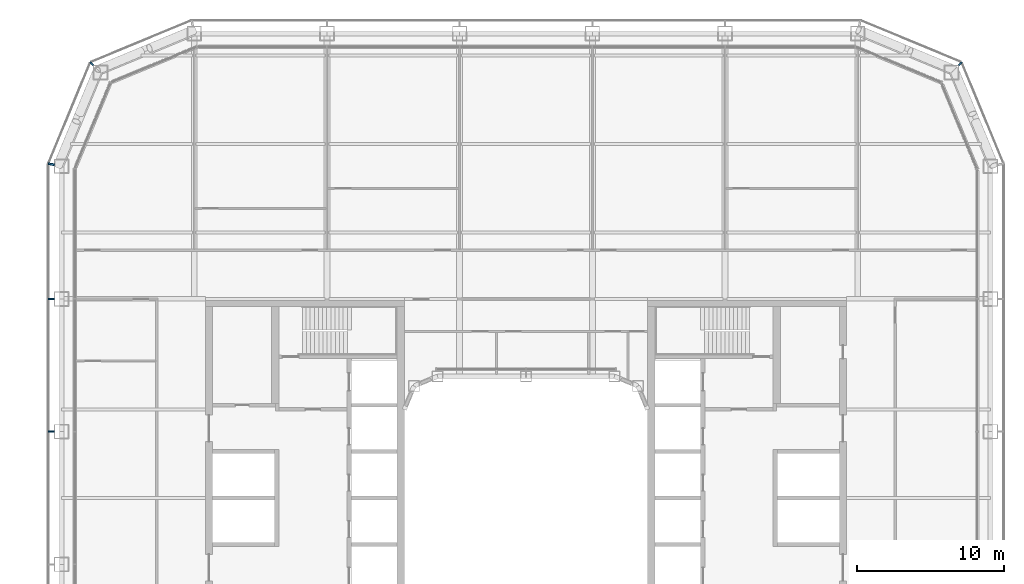
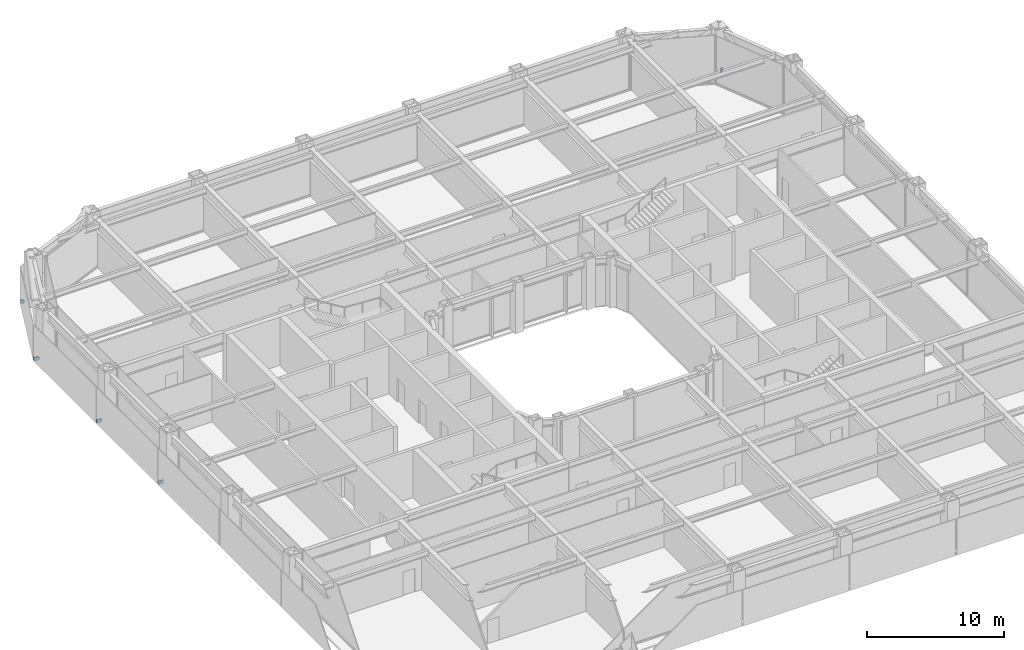
# One storey, part 20 of 27: 5 discrete accessories.
"""IFC4 building model written with IfcOpenShell, lengths in metres."""

import ifcopenshell
import ifcopenshell.guid

model = None  # the IFC model being written
_history = None  # IfcOwnerHistory: only IFC2X3 demands one
_inside = {}  # id of a spatial element -> (the spatial element, [elements in it])
_under = {}  # id of a project, library or spatial element -> (it, [spatial elements below it])
_declared = {}  # id of a project -> (the project, [libraries it declares])
_typed = {}  # id of a type object -> (the type object, [elements of that type])
_made_of = {}  # id of a material, layer set ... -> (it, [elements and type objects made of it])


def new_model(schema):
    """Start an empty IFC model of exactly this schema.

    Asked for "IFC4X3", IfcOpenShell would pick the latest addendum, in which some entities
    have other attributes; the version numbers below select the first issue.
    IFC2X3 requires an IfcOwnerHistory on every rooted entity: one is made here for all.
    """
    global model, _history
    if schema == "IFC4X3":
        model = ifcopenshell.file(schema_version=(4, 3, 0, 0))
    else:
        model = ifcopenshell.file(schema=schema)
    _inside.clear()
    _under.clear()
    _declared.clear()
    _typed.clear()
    _made_of.clear()
    _history = None
    if model.schema == "IFC2X3":
        org = make("IfcOrganization", Name="unknown")
        user = make(
            "IfcPersonAndOrganization",
            ThePerson=make("IfcPerson", FamilyName="unknown"),
            TheOrganization=org,
        )
        app = make(
            "IfcApplication",
            ApplicationDeveloper=org,
            Version="unknown",
            ApplicationFullName="unknown",
            ApplicationIdentifier="unknown",
        )
        _history = make(
            "IfcOwnerHistory",
            OwningUser=user,
            OwningApplication=app,
            ChangeAction="ADDED",
            CreationDate=0,
        )
    return model


def make(cls, **values):
    """One entity of the class cls with the attributes given. An attribute that is None is left unset."""
    return model.create_entity(
        cls, **{name: value for name, value in values.items() if value is not None}
    )


def rooted(cls, **values):
    """An entity with a GlobalId (a new one), such as an element, a storey or a relation."""
    return make(cls, GlobalId=ifcopenshell.guid.new(), OwnerHistory=_history, **values)


def si_unit(unit_type, name, prefix=None):
    """IfcSIUnit, for example si_unit("LENGTHUNIT", "METRE", prefix="MILLI")."""
    return make("IfcSIUnit", UnitType=unit_type, Prefix=prefix, Name=name)


def assignment(units):
    """IfcUnitAssignment: the units of a project."""
    return None if units is None else make("IfcUnitAssignment", Units=units)


def point(xyz):
    """IfcCartesianPoint."""
    return None if xyz is None else make("IfcCartesianPoint", Coordinates=xyz)


def direction(xyz):
    """IfcDirection."""
    return None if xyz is None else make("IfcDirection", DirectionRatios=xyz)


def frame(location, z_axis=None, x_axis=None):
    """IfcAxis2Placement3D, a coordinate frame: its origin and axes. An axis left out is left unset."""
    return make(
        "IfcAxis2Placement3D",
        Location=point(location),
        Axis=direction(z_axis),
        RefDirection=direction(x_axis),
    )


def frame_2d(location, x_axis=None):
    """IfcAxis2Placement2D, a coordinate frame in the plane: its origin and x axis."""
    return make(
        "IfcAxis2Placement2D", Location=point(location), RefDirection=direction(x_axis)
    )


def origin():
    """The frame at (0, 0, 0) with its axes left unset."""
    return frame((0.0, 0.0, 0.0))


def origin_2d():
    """The frame at (0, 0) in the plane with its x axis left unset."""
    return frame_2d((0.0, 0.0))


def place(relative_to, where):
    """IfcLocalPlacement: puts the frame where relative to a parent placement (None: the world)."""
    return make(
        "IfcLocalPlacement", PlacementRelTo=relative_to, RelativePlacement=where
    )


def context(
    kind, dimensions, precision=None, world=None, true_north=None, identifier=None
):
    """IfcGeometricRepresentationContext, for example the 3D "Model" context."""
    return make(
        "IfcGeometricRepresentationContext",
        ContextIdentifier=identifier,
        ContextType=kind,
        CoordinateSpaceDimension=dimensions,
        Precision=precision,
        WorldCoordinateSystem=world,
        TrueNorth=true_north,
    )


def subcontext(parent, identifier, kind, view, scale=None):
    """IfcGeometricRepresentationSubContext, for example "Body" below "Model"."""
    return make(
        "IfcGeometricRepresentationSubContext",
        ContextIdentifier=identifier,
        ContextType=kind,
        ParentContext=parent,
        TargetScale=scale,
        TargetView=view,
    )


def project(units=None, contexts=None):
    """IfcProject with its units and contexts."""
    return rooted(
        "IfcProject",
        Name="project",
        RepresentationContexts=contexts,
        UnitsInContext=assignment(units),
    )


def spatial(cls, under=None, at=None, **own):
    """A site, building, storey or space (cls), placed at a placement, below another one or the project."""
    s = rooted(cls, ObjectPlacement=at, **own)
    if under is not None:
        _under.setdefault(under.id(), (under, []))[1].append(s)
    return s


def profile(cls, at=None, kind="AREA", **sizes):
    """A parametric profile (cls). Its sizes go by their IFC names, for example OverallWidth=200.0."""
    return make(cls, ProfileType=kind, Position=at, **sizes)


def rectangle(**sizes):
    """IfcRectangleProfileDef."""
    return profile("IfcRectangleProfileDef", **sizes)


def extrude(swept, where, along, depth):
    """IfcExtrudedAreaSolid: the profile swept, set in the frame where, extruded along a direction by depth."""
    return make(
        "IfcExtrudedAreaSolid",
        SweptArea=swept,
        Position=where,
        ExtrudedDirection=direction(along),
        Depth=depth,
    )


def shape(context_of_items, identifier, shape_type, items):
    """IfcShapeRepresentation: the items that make up one representation, for example the "Body"."""
    return make(
        "IfcShapeRepresentation",
        ContextOfItems=context_of_items,
        RepresentationIdentifier=identifier,
        RepresentationType=shape_type,
        Items=items,
    )


def material(Name=None, Category=None):
    """IfcMaterial."""
    return make("IfcMaterial", Name=Name, Category=Category)


def made_of(thing, what):
    """Note that an element or type object is made of a material, layer set ...; save() writes the relation."""
    if what is not None:
        _made_of.setdefault(what.id(), (what, []))[1].append(thing)
    return thing


def type_object(cls, material=None, **own):
    """A type object (cls), such as IfcWallType, which elements share."""
    return made_of(rooted(cls, **own), material)


def element(
    cls,
    number,
    at=None,
    inside=None,
    cuts=None,
    type_object=None,
    material=None,
    context=None,
    identifier="Body",
    shape_type=None,
    held_by="IfcProductDefinitionShape",
    body=None,
    shapes=None,
    **own,
):
    """One element of the class cls, such as IfcWall. Its Tag is "e" and its number.

    at: its placement. inside: the storey or other place that contains it. cuts: it is an
    opening in that element (IfcRelVoidsElement). A single representation is given by context,
    identifier, shape_type and body (its items); several are given by shapes. held_by: the class
    of the entity that holds the representations. save() writes the other relations.
    """
    e = rooted(cls, Tag="e%d" % number, ObjectPlacement=at, **own)
    if body is not None:
        shapes = [shape(context, identifier, shape_type, body)]
    if shapes is not None:
        e.Representation = make(held_by, Representations=shapes)
    if inside is not None:
        _inside.setdefault(inside.id(), (inside, []))[1].append(e)
    if cuts is not None:
        rooted(
            "IfcRelVoidsElement", RelatingBuildingElement=cuts, RelatedOpeningElement=e
        )
    if type_object is not None:
        _typed.setdefault(type_object.id(), (type_object, []))[1].append(e)
    return made_of(e, material)


def aggregate(whole, parts):
    """IfcRelAggregates: a whole, such as a stair, and the parts it consists of."""
    return rooted("IfcRelAggregates", RelatingObject=whole, RelatedObjects=parts)


def save(model, path):
    """Write the relations noted so far, then the file.

    IfcRelAggregates (storeys below a building ...), IfcRelContainedInSpatialStructure (elements
    in a storey), IfcRelDefinesByType, IfcRelAssociatesMaterial and IfcRelDeclares: one each for
    every whole, place, type object, material and project.
    """
    for whole, parts in _under.values():
        aggregate(whole, parts)
    for where, things in _inside.values():
        rooted(
            "IfcRelContainedInSpatialStructure",
            RelatedElements=things,
            RelatingStructure=where,
        )
    for kind, things in _typed.values():
        rooted("IfcRelDefinesByType", RelatedObjects=things, RelatingType=kind)
    for what, things in _made_of.values():
        rooted("IfcRelAssociatesMaterial", RelatedObjects=things, RelatingMaterial=what)
    for by, libraries in _declared.values():
        rooted("IfcRelDeclares", RelatingContext=by, RelatedDefinitions=libraries)
    model.write(path)


model = new_model("IFC4")

# Units and contexts
model_context = context("Model", 3, precision=1e-05, world=origin(), true_north=direction((0.0, 1.0)))
body_context = subcontext(model_context, "Body", "Model", "MODEL_VIEW")
ifc_project = project(units=[si_unit("LENGTHUNIT", "METRE"), si_unit("AREAUNIT", "SQUARE_METRE"), si_unit("VOLUMEUNIT", "CUBIC_METRE"), si_unit("PLANEANGLEUNIT", "RADIAN"), si_unit("MASSUNIT", "GRAM", prefix="KILO")], contexts=[model_context])

# Site, building, storey
site_placement = place(None, origin())
site = spatial("IfcSite", under=ifc_project, at=site_placement, CompositionType="ELEMENT")
building_placement = place(site_placement, origin())
building = spatial("IfcBuilding", under=site, at=building_placement, Name="Siwar Civic Tower", CompositionType="ELEMENT")
storey_placement = place(building_placement, frame((0.0, 0.0, 89.699951171875)))
storey = spatial("IfcBuildingStorey", under=building, at=storey_placement, Name="L19", CompositionType="ELEMENT", Elevation=89.699951171875)

# Discrete accessories
ifc_material = material(Name="Stainless steel 316", Category="steel")
discrete_accessory_type = type_object("IfcDiscreteAccessoryType", Name="ENV-BRACKET", PredefinedType="BRACKET", material=ifc_material)
for number, where, z_axis, x_axis, name in (
    (1, (29.451416015625, 29.451416015625, -0.14990234375), (0.0, 0.0, 1.0), (0.707106781187, 0.707106781187, 0.0), "Bracket outer skin joint V05"),
    (2, (-29.451416015625, 29.451416015625, -0.14990234375), (0.0, 0.0, 1.0), (-0.707106781187, 0.707106781187, 0.0), "Bracket outer skin joint V08"),
):
    element("IfcDiscreteAccessory", number, at=place(storey_placement, frame(where, z_axis=z_axis, x_axis=x_axis)), inside=storey, type_object=discrete_accessory_type, Name=name, PredefinedType="BRACKET", context=body_context, shape_type="SweptSolid", body=[
        extrude(rectangle(XDim=0.287109375, YDim=0.12939453125, at=origin_2d()), origin(), (0.0, 0.0, 1.0), 0.300048828125),
    ])
discrete_accessory_placement = place(storey_placement, frame((-32.190185546875, 22.63720703125, -0.14990234375), z_axis=(0.0, 0.0, 1.0), x_axis=(-0.980785280403, 0.195090322016, 0.0)))
element("IfcDiscreteAccessory", 3, at=discrete_accessory_placement, inside=storey, type_object=discrete_accessory_type, Name="Bracket outer skin joint V09", PredefinedType="BRACKET", context=body_context, shape_type="SweptSolid", body=[
    extrude(rectangle(XDim=0.427734375, YDim=0.13720703125, at=origin_2d()), origin(), (0.0, 0.0, 1.0), 0.300048828125),
])
for number, where, z_axis, x_axis, name in (
    (4, (-32.18994140625, 13.5, -0.14990234375), (0.0, 0.0, 1.0), (-1.0, 0.0, 0.0), "Bracket outer skin joint W-01"),
    (5, (-32.18994140625, 4.5, -0.14990234375), (0.0, 0.0, 1.0), (-1.0, 0.0, 0.0), "Bracket outer skin joint W-02"),
):
    element("IfcDiscreteAccessory", number, at=place(storey_placement, frame(where, z_axis=z_axis, x_axis=x_axis)), inside=storey, type_object=discrete_accessory_type, Name=name, PredefinedType="BRACKET", context=body_context, shape_type="SweptSolid", body=[
        extrude(rectangle(XDim=0.419921875, YDim=0.10009765625, at=origin_2d()), origin(), (0.0, 0.0, 1.0), 0.300048828125),
    ])

save(model, "model.ifc")
